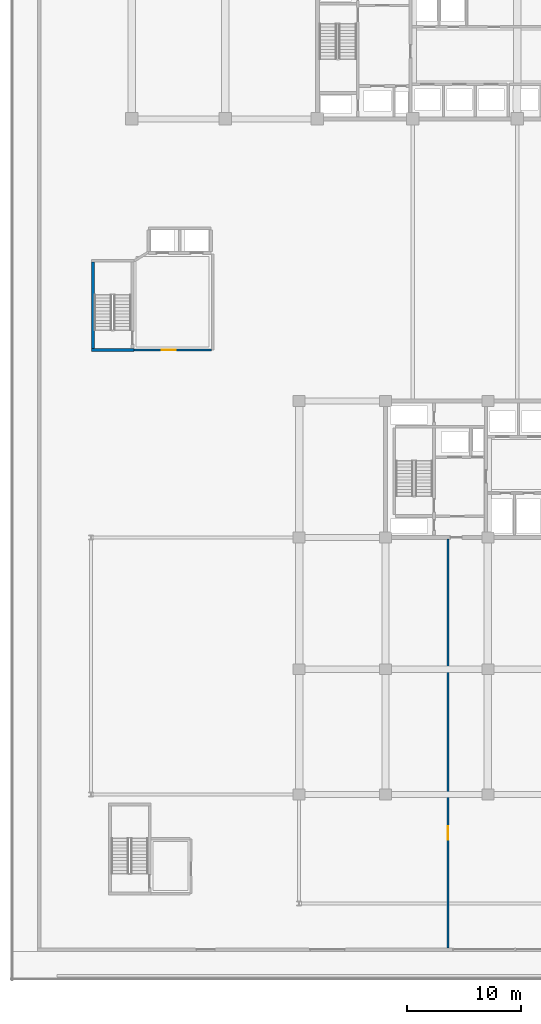
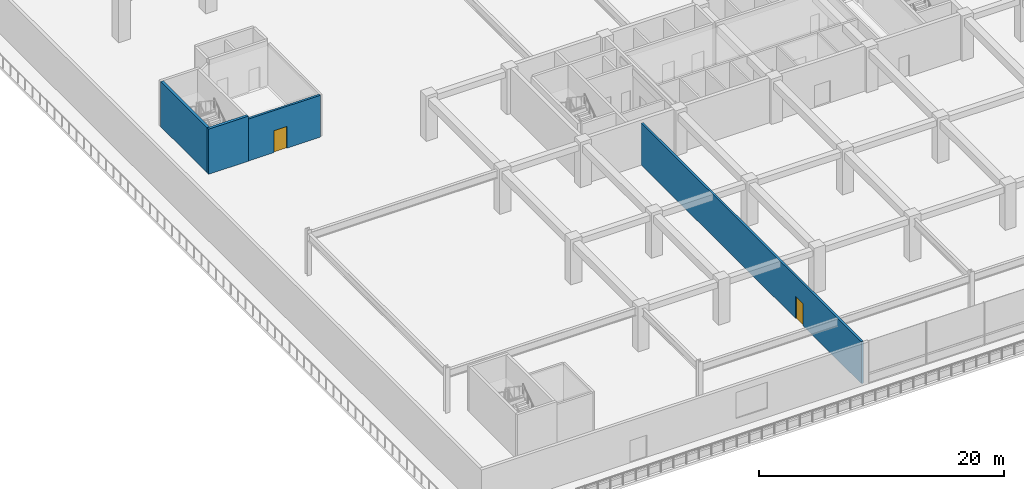
# One storey, part 19 of 40: 4 walls, 2 doors, 2 openings.
"""IFC4 building model written with IfcOpenShell, lengths in metres."""

from ifc_helpers import new_model, si_unit, direction, frame, frame_2d, origin, place, context, subcontext, project, spatial, rectangle, extrude, material, layer, layer_set, type_object, element, fill, save


model = new_model("IFC4")

# Units and contexts
model_context = context("Model", 3, precision=1e-05, world=origin(), true_north=direction((0.0, 1.0)))
body_context = subcontext(model_context, "Body", "Model", "MODEL_VIEW")
ifc_project = project(units=[si_unit("LENGTHUNIT", "METRE"), si_unit("AREAUNIT", "SQUARE_METRE"), si_unit("VOLUMEUNIT", "CUBIC_METRE"), si_unit("PLANEANGLEUNIT", "RADIAN"), si_unit("MASSUNIT", "GRAM", prefix="KILO")], contexts=[model_context])

# Site, building, storey
site_placement = place(None, origin())
site = spatial("IfcSite", under=ifc_project, at=site_placement, CompositionType="ELEMENT")
building_placement = place(site_placement, origin())
building = spatial("IfcBuilding", under=site, at=building_placement, Name="Korimba Cascade Residences", CompositionType="ELEMENT")
storey_placement = place(building_placement, frame((0.0, 0.0, 14.5)))
storey = spatial("IfcBuildingStorey", under=building, at=storey_placement, Name="L03", CompositionType="ELEMENT", Elevation=14.5)

# Wall, opening, door
ifc_material_1 = material(Name="Concrete C40/50", Category="concrete")
ifc_layer_1 = layer(ifc_material_1, 0.199951171875)
ifc_layer_set_1 = layer_set([ifc_layer_1], Name="Concrete C40/50")
wall_type_1 = type_object("IfcWallType", Name="WAL-PART-200", PredefinedType="PARTITIONING", material=ifc_layer_set_1)
wall_1_placement = place(storey_placement, frame((59.840087890625, 34.875, 0.0), z_axis=(0.0, 0.0, 1.0), x_axis=(1.0, 0.0, 0.0)))
wall_1 = element("IfcWall", 1, at=wall_1_placement, inside=storey, type_object=wall_type_1, Name="L03 Partition Wall CW-L03-PLOBS", PredefinedType="PARTITIONING", context=body_context, shape_type="SweptSolid", body=[
    extrude(rectangle(XDim=6.9599609375, YDim=0.199951171875, at=frame_2d((3.47998046875, 0.0))), origin(), (0.0, 0.0, 1.0), 4.179931640625),
])
opening_1_placement = place(wall_1_placement, frame((2.60009765625, 0.0, 0.0)))
opening_1 = element("IfcOpeningElement", 2, at=opening_1_placement, cuts=wall_1, Name="Opening D-FD7", PredefinedType="OPENING", context=body_context, shape_type="SweptSolid", body=[
    extrude(rectangle(XDim=1.199951171875, YDim=2.179931640625, at=frame_2d((0.60009765625, 1.08984375))), frame((0.0, 0.10986328125, 0.0), z_axis=(0.0, -1.0, 0.0), x_axis=(1.0, 0.0, 0.0)), (0.0, 0.0, 1.0), 0.219970703125),
])
ifc_material_2 = material(Name="Fire-Rated Shuttle Lobby Door", Category="wood")
door_type_1 = type_object("IfcDoorType", Name="DR-FD90-1200", OperationType="NOTDEFINED", PredefinedType="DOOR", material=ifc_material_2)
door_1_placement = place(opening_1_placement, origin())
door_1 = element("IfcDoor", 3, at=door_1_placement, inside=storey, type_object=door_type_1, Name="L03 Shuttle Lobby Door", OperationType="SINGLE_SWING_RIGHT", OverallHeight=2.179931640625, OverallWidth=1.199951171875, PredefinedType="DOOR", context=body_context, shape_type="SweptSolid", body=[
    extrude(rectangle(XDim=1.199951171875, YDim=2.179931640625, at=frame_2d((0.60009765625, 1.08984375))), frame((0.0, 0.02490234375, 0.0), z_axis=(0.0, -1.0, 0.0), x_axis=(1.0, 0.0, 0.0)), (0.0, 0.0, 1.0), 0.050048828125),
])
fill(opening_1, door_1)

wall_2_placement = place(storey_placement, frame((87.60009765625, -17.699951171875, 0.0), z_axis=(0.0, 0.0, 1.0), x_axis=(0.0, 1.0, 0.0)))
wall_2 = element("IfcWall", 4, at=wall_2_placement, inside=storey, type_object=wall_type_1, Name="L03 Partition Wall WAL-L03-SDIV", PredefinedType="PARTITIONING", context=body_context, shape_type="SweptSolid", body=[
    extrude(rectangle(XDim=35.949951171875, YDim=0.199951171875, at=frame_2d((17.97509765625, 0.0))), origin(), (0.0, 0.0, 1.0), 4.179931640625),
])
opening_2_placement = place(wall_2_placement, frame((9.5, 0.0, 0.0)))
opening_2 = element("IfcOpeningElement", 5, at=opening_2_placement, cuts=wall_2, Name="Opening D-AM1", PredefinedType="OPENING", context=body_context, shape_type="SweptSolid", body=[
    extrude(rectangle(XDim=1.219970703125, YDim=2.179931640625, at=frame_2d((0.60986328125, 1.08984375))), frame((0.0, 0.10986328125, 0.0), z_axis=(0.0, -1.0, 0.0), x_axis=(1.0, 0.0, 0.0)), (0.0, 0.0, 1.0), 0.219970703125),
])
ifc_material_3 = material(Name="Fire-Rated Glazed Timber Suite Door", Category="wood")
door_type_2 = type_object("IfcDoorType", Name="DR-FD60-1200", OperationType="NOTDEFINED", PredefinedType="DOOR", material=ifc_material_3)
door_2_placement = place(opening_2_placement, origin())
door_2 = element("IfcDoor", 6, at=door_2_placement, inside=storey, type_object=door_type_2, Name="L03 South Podium Link Door", OperationType="SINGLE_SWING_LEFT", OverallHeight=2.179931640625, OverallWidth=1.219970703125, PredefinedType="DOOR", context=body_context, shape_type="SweptSolid", body=[
    extrude(rectangle(XDim=1.219970703125, YDim=2.179931640625, at=frame_2d((0.60986328125, 1.08984375))), frame((0.0, 0.02490234375, 0.0), z_axis=(0.0, -1.0, 0.0), x_axis=(1.0, 0.0, 0.0)), (0.0, 0.0, 1.0), 0.050048828125),
])
fill(opening_2, door_2)

# Walls
ifc_material_4 = material(Name="Concrete C50/60", Category="concrete")
ifc_layer_2 = layer(ifc_material_4, 0.25)
ifc_layer_set_2 = layer_set([ifc_layer_2], Name="Concrete C50/60")
wall_type_2 = type_object("IfcWallType", Name="WAL-SHAFT-250", PredefinedType="SHEAR", material=ifc_layer_set_2)
wall_3_placement = place(storey_placement, frame((56.375, 35.0, 0.0), z_axis=(0.0, 0.0, 1.0), x_axis=(0.0, 1.0, 0.0)))
element("IfcWall", 7, at=wall_3_placement, inside=storey, type_object=wall_type_2, Name="L03 Core Shear Wall CW-L03-STP1W", PredefinedType="SHEAR", context=body_context, shape_type="SweptSolid", body=[
    extrude(rectangle(XDim=7.60009765625, YDim=0.25, at=frame_2d((3.800048828125, 0.0))), origin(), (0.0, 0.0, 1.0), 4.5),
])
wall_4_placement = place(storey_placement, frame((56.25, 34.875, 0.0), z_axis=(0.0, 0.0, 1.0), x_axis=(1.0, 0.0, 0.0)))
element("IfcWall", 8, at=wall_4_placement, inside=storey, type_object=wall_type_2, Name="L03 Core Shear Wall CW-L03-STP1S", PredefinedType="SHEAR", context=body_context, shape_type="SweptSolid", body=[
    extrude(rectangle(XDim=3.739990234375, YDim=0.25, at=frame_2d((1.8701171875, 0.0))), origin(), (0.0, 0.0, 1.0), 4.5),
])

save(model, "model.ifc")
